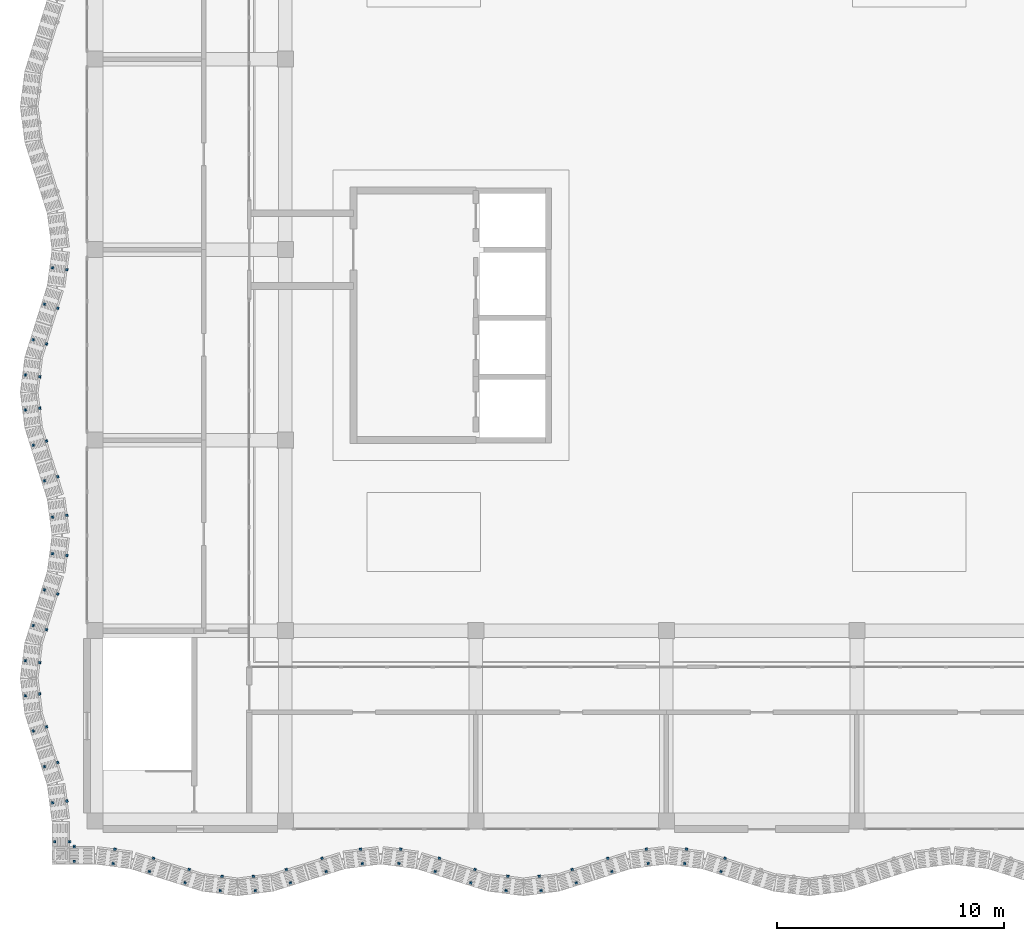
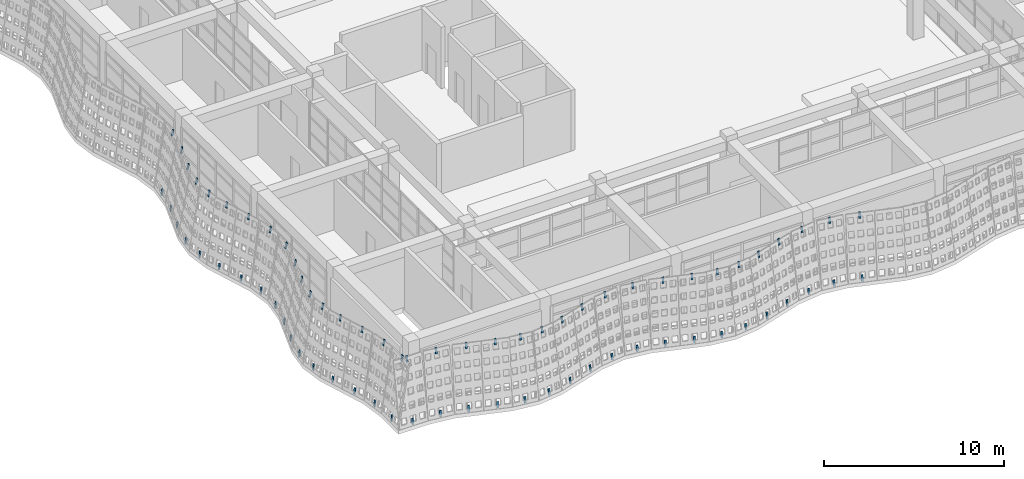
# One storey, part 53 of 85: 72 discrete accessories.
"""IFC4 building model written with IfcOpenShell, lengths in metres."""

from ifc_helpers import new_model, si_unit, direction, frame, origin, origin_2d, place, context, subcontext, project, spatial, rectangle, extrude, material, material_profile, profile_set, type_object, element, save


model = new_model("IFC4")

# Units and contexts
model_context = context("Model", 3, precision=1e-05, world=origin(), true_north=direction((0.0, 1.0)))
body_context = subcontext(model_context, "Body", "Model", "MODEL_VIEW")
ifc_project = project(units=[si_unit("LENGTHUNIT", "METRE"), si_unit("AREAUNIT", "SQUARE_METRE"), si_unit("VOLUMEUNIT", "CUBIC_METRE"), si_unit("PLANEANGLEUNIT", "RADIAN"), si_unit("MASSUNIT", "GRAM", prefix="KILO")], contexts=[model_context])

# Site, building, storey
site_placement = place(None, origin())
site = spatial("IfcSite", under=ifc_project, at=site_placement, CompositionType="ELEMENT")
building_placement = place(site_placement, origin())
building = spatial("IfcBuilding", under=site, at=building_placement, Name="Rain Tree Exposition and Congress Centre", CompositionType="ELEMENT")
storey_placement = place(building_placement, frame((0.0, 0.0, 15.0)))
storey = spatial("IfcBuildingStorey", under=building, at=storey_placement, Name="L03", CompositionType="ELEMENT", Elevation=15.0)

# Discrete accessories
ifc_material = material(Name="Steel S355J2", Category="steel")
ifc_material_profile = material_profile(ifc_material, rectangle(XDim=0.1201171875, YDim=0.050048828125, at=origin_2d()), Name="Flat bar 120x50")
ifc_profile_set = profile_set([ifc_material_profile], Name="Steel S355J2")
discrete_accessory_type = type_object("IfcDiscreteAccessoryType", Name="Screen bracket 120x50", PredefinedType="BRACKET", material=ifc_profile_set)
for number, where, z_axis, x_axis, name in (
    (1, (0.883544921875, -1.26416015625, 3.851318359375), (0.021365956631, 0.162381270396, 0.986496740452), (-0.991454295543, 0.130454512571, 0.0), "wing/bracket/L03/0011t"),
    (2, (0.801025390625, -1.898681640625, 0.004150390625), (0.021363835031, 0.162975541524, 0.986398783159), (-0.991517377774, 0.129974188098, 0.0), "wing/bracket/L03/0011b"),
):
    element("IfcDiscreteAccessory", number, at=place(storey_placement, frame(where, z_axis=z_axis, x_axis=x_axis)), inside=storey, type_object=discrete_accessory_type, Name=name, PredefinedType="BRACKET", context=body_context, shape_type="SweptSolid", body=[
        extrude(rectangle(XDim=0.1201171875, YDim=0.050048828125, at=origin_2d()), origin(), (0.0, 0.0, 1.0), 0.39990234375),
    ])
for number, where, z_axis, x_axis, name in (
    (3, (2.57861328125, -1.66552734375, 3.85107421875), (0.04699262887, 0.150742588713, 0.987455500152), (-0.954686073127, 0.297614686764, 0.0), "wing/bracket/L03/0021t"),
    (4, (2.39404296875, -2.252685546875, 0.00390625), (0.04699262887, 0.150742588713, 0.987455500152), (-0.954686073127, 0.297614686764, 0.0), "wing/bracket/L03/0021b"),
    (5, (4.150146484375, -2.159423828125, 3.85107421875), (0.047601548727, 0.150738237635, 0.987426997946), (-0.953582665134, 0.301131367937, 0.0), "wing/bracket/L03/0031t"),
    (6, (3.965576171875, -2.74658203125, 0.00390625), (0.047601548727, 0.150738237635, 0.987426997946), (-0.953582665134, 0.301131367937, 0.0), "wing/bracket/L03/0031b"),
):
    element("IfcDiscreteAccessory", number, at=place(storey_placement, frame(where, z_axis=z_axis, x_axis=x_axis)), inside=storey, type_object=discrete_accessory_type, Name=name, PredefinedType="BRACKET", context=body_context, shape_type="SweptSolid", body=[
        extrude(rectangle(XDim=0.1201171875, YDim=0.050048828125, at=origin_2d()), origin(), (0.0, 0.0, 1.0), 0.400146484375),
    ])
for number, where, z_axis, x_axis, name in (
    (7, (5.60693359375, -2.458984375, 3.851318359375), (0.021363835031, 0.162975541524, 0.986398783159), (-0.991517377774, 0.129974188098, 0.0), "wing/bracket/L03/0041t"),
    (8, (5.5244140625, -3.093505859375, 0.004150390625), (0.021363835031, 0.162975541524, 0.986398783159), (-0.991517377774, 0.129974188098, 0.0), "wing/bracket/L03/0041b"),
    (9, (6.992919921875, -2.458984375, 3.851318359375), (-0.020753706516, 0.162977636468, 0.986411462665), (-0.991989449114, -0.12632075382, 0.0), "wing/bracket/L03/0051t"),
    (10, (7.07568359375, -3.093505859375, 0.004150390625), (-0.021363835031, 0.162975541524, 0.986398783159), (-0.991517377774, -0.129974188098, 0.0), "wing/bracket/L03/0051b"),
):
    element("IfcDiscreteAccessory", number, at=place(storey_placement, frame(where, z_axis=z_axis, x_axis=x_axis)), inside=storey, type_object=discrete_accessory_type, Name=name, PredefinedType="BRACKET", context=body_context, shape_type="SweptSolid", body=[
        extrude(rectangle(XDim=0.1201171875, YDim=0.050048828125, at=origin_2d()), origin(), (0.0, 0.0, 1.0), 0.39990234375),
    ])
for number, where, z_axis, x_axis, name in (
    (11, (8.449951171875, -2.159423828125, 3.85107421875), (-0.047601548727, 0.150738237635, 0.987426997946), (-0.953582665134, -0.301131367937, 0.0), "wing/bracket/L03/0061t"),
    (12, (8.634521484375, -2.74658203125, 0.00390625), (-0.047601548727, 0.150738237635, 0.987426997946), (-0.953582665134, -0.301131367937, 0.0), "wing/bracket/L03/0061b"),
    (13, (10.021484375, -1.66552734375, 3.85107421875), (-0.04699262887, 0.150742588713, 0.987455500152), (-0.954686073127, -0.297614686764, 0.0), "wing/bracket/L03/0071t"),
    (14, (10.2060546875, -2.252685546875, 0.00390625), (-0.047601548727, 0.150738237635, 0.987426997946), (-0.953582665134, -0.301131367937, 0.0), "wing/bracket/L03/0071b"),
):
    element("IfcDiscreteAccessory", number, at=place(storey_placement, frame(where, z_axis=z_axis, x_axis=x_axis)), inside=storey, type_object=discrete_accessory_type, Name=name, PredefinedType="BRACKET", context=body_context, shape_type="SweptSolid", body=[
        extrude(rectangle(XDim=0.1201171875, YDim=0.050048828125, at=origin_2d()), origin(), (0.0, 0.0, 1.0), 0.400146484375),
    ])
for number, where, z_axis, x_axis, name in (
    (15, (11.71630859375, -1.26416015625, 3.851318359375), (-0.020755767579, 0.162383358115, 0.986509423736), (-0.991929834703, -0.126788023985, 0.0), "wing/bracket/L03/0081t"),
    (16, (11.798828125, -1.898681640625, 0.004150390625), (-0.020753706516, 0.162977636468, 0.986411462665), (-0.991989449114, -0.12632075382, 0.0), "wing/bracket/L03/0081b"),
    (17, (13.483642578125, -1.26416015625, 3.851318359375), (0.021365956631, 0.162381270396, 0.986496740452), (-0.991454295543, 0.130454512571, 0.0), "wing/bracket/L03/0091t"),
    (18, (13.401123046875, -1.898681640625, 0.004150390625), (0.020753706516, 0.162977636468, 0.986411462665), (-0.991989449114, 0.12632075382, 0.0), "wing/bracket/L03/0091b"),
):
    element("IfcDiscreteAccessory", number, at=place(storey_placement, frame(where, z_axis=z_axis, x_axis=x_axis)), inside=storey, type_object=discrete_accessory_type, Name=name, PredefinedType="BRACKET", context=body_context, shape_type="SweptSolid", body=[
        extrude(rectangle(XDim=0.1201171875, YDim=0.050048828125, at=origin_2d()), origin(), (0.0, 0.0, 1.0), 0.39990234375),
    ])
for number, where, z_axis, x_axis, name in (
    (19, (15.178466796875, -1.66552734375, 3.85107421875), (0.047601548727, 0.150738237635, 0.987426997946), (-0.953582665134, 0.301131367937, 0.0), "wing/bracket/L03/0101t"),
    (20, (14.993896484375, -2.252685546875, 0.00390625), (0.047601548727, 0.150738237635, 0.987426997946), (-0.953582665134, 0.301131367937, 0.0), "wing/bracket/L03/0101b"),
    (21, (16.75, -2.159423828125, 3.85107421875), (0.047601548727, 0.150738237635, 0.987426997946), (-0.953582665134, 0.301131367937, 0.0), "wing/bracket/L03/0111t"),
    (22, (16.565673828125, -2.74658203125, 0.00390625), (0.047601548727, 0.150738237635, 0.987426997946), (-0.953582665134, 0.301131367937, 0.0), "wing/bracket/L03/0111b"),
):
    element("IfcDiscreteAccessory", number, at=place(storey_placement, frame(where, z_axis=z_axis, x_axis=x_axis)), inside=storey, type_object=discrete_accessory_type, Name=name, PredefinedType="BRACKET", context=body_context, shape_type="SweptSolid", body=[
        extrude(rectangle(XDim=0.1201171875, YDim=0.050048828125, at=origin_2d()), origin(), (0.0, 0.0, 1.0), 0.400146484375),
    ])
for number, where, z_axis, x_axis, name in (
    (23, (18.20703125, -2.458984375, 3.851318359375), (0.020753706516, 0.162977636468, 0.986411462665), (-0.991989449114, 0.12632075382, 0.0), "wing/bracket/L03/0121t"),
    (24, (18.12451171875, -3.093505859375, 0.004150390625), (0.020753706516, 0.162977636468, 0.986411462665), (-0.991989449114, 0.12632075382, 0.0), "wing/bracket/L03/0121b"),
    (25, (19.593017578125, -2.458984375, 3.851318359375), (-0.020753706516, 0.162977636468, 0.986411462665), (-0.991989449114, -0.12632075382, 0.0), "wing/bracket/L03/0131t"),
    (26, (19.675537109375, -3.093505859375, 0.004150390625), (-0.021363835031, 0.162975541524, 0.986398783159), (-0.991517377774, -0.129974188098, 0.0), "wing/bracket/L03/0131b"),
):
    element("IfcDiscreteAccessory", number, at=place(storey_placement, frame(where, z_axis=z_axis, x_axis=x_axis)), inside=storey, type_object=discrete_accessory_type, Name=name, PredefinedType="BRACKET", context=body_context, shape_type="SweptSolid", body=[
        extrude(rectangle(XDim=0.1201171875, YDim=0.050048828125, at=origin_2d()), origin(), (0.0, 0.0, 1.0), 0.39990234375),
    ])
for number, where, z_axis, x_axis, name in (
    (27, (21.0498046875, -2.159423828125, 3.85107421875), (-0.04699262887, 0.150742588713, 0.987455500152), (-0.954686073127, -0.297614686764, 0.0), "wing/bracket/L03/0141t"),
    (28, (21.234375, -2.74658203125, 0.00390625), (-0.047601548727, 0.150738237635, 0.987426997946), (-0.953582665134, -0.301131367937, 0.0), "wing/bracket/L03/0141b"),
    (29, (22.62158203125, -1.66552734375, 3.85107421875), (-0.047601548727, 0.150738237635, 0.987426997946), (-0.953582665134, -0.301131367937, 0.0), "wing/bracket/L03/0151t"),
    (30, (22.805908203125, -2.252685546875, 0.00390625), (-0.04699262887, 0.150742588713, 0.987455500152), (-0.954686073127, -0.297614686764, 0.0), "wing/bracket/L03/0151b"),
):
    element("IfcDiscreteAccessory", number, at=place(storey_placement, frame(where, z_axis=z_axis, x_axis=x_axis)), inside=storey, type_object=discrete_accessory_type, Name=name, PredefinedType="BRACKET", context=body_context, shape_type="SweptSolid", body=[
        extrude(rectangle(XDim=0.1201171875, YDim=0.050048828125, at=origin_2d()), origin(), (0.0, 0.0, 1.0), 0.400146484375),
    ])
for number, where, z_axis, x_axis, name in (
    (31, (24.31640625, -1.26416015625, 3.851318359375), (-0.021365956631, 0.162381270396, 0.986496740452), (-0.991454295543, -0.130454512571, 0.0), "wing/bracket/L03/0161t"),
    (32, (24.39892578125, -1.898681640625, 0.004150390625), (-0.021363835031, 0.162975541524, 0.986398783159), (-0.991517377774, -0.129974188098, 0.0), "wing/bracket/L03/0161b"),
    (33, (26.08349609375, -1.26416015625, 3.851318359375), (0.021365956631, 0.162381270396, 0.986496740452), (-0.991454295543, 0.130454512571, 0.0), "wing/bracket/L03/0171t"),
    (34, (26.001220703125, -1.898681640625, 0.004150390625), (0.020753706516, 0.162977636468, 0.986411462665), (-0.991989449114, 0.12632075382, 0.0), "wing/bracket/L03/0171b"),
):
    element("IfcDiscreteAccessory", number, at=place(storey_placement, frame(where, z_axis=z_axis, x_axis=x_axis)), inside=storey, type_object=discrete_accessory_type, Name=name, PredefinedType="BRACKET", context=body_context, shape_type="SweptSolid", body=[
        extrude(rectangle(XDim=0.1201171875, YDim=0.050048828125, at=origin_2d()), origin(), (0.0, 0.0, 1.0), 0.39990234375),
    ])
for number, where, z_axis, x_axis, name in (
    (35, (27.778564453125, -1.66552734375, 3.85107421875), (0.04699262887, 0.150742588713, 0.987455500152), (-0.954686073127, 0.297614686764, 0.0), "wing/bracket/L03/0181t"),
    (36, (27.593994140625, -2.252685546875, 0.00390625), (0.04699262887, 0.150742588713, 0.987455500152), (-0.954686073127, 0.297614686764, 0.0), "wing/bracket/L03/0181b"),
):
    element("IfcDiscreteAccessory", number, at=place(storey_placement, frame(where, z_axis=z_axis, x_axis=x_axis)), inside=storey, type_object=discrete_accessory_type, Name=name, PredefinedType="BRACKET", context=body_context, shape_type="SweptSolid", body=[
        extrude(rectangle(XDim=0.1201171875, YDim=0.050048828125, at=origin_2d()), origin(), (0.0, 0.0, 1.0), 0.400146484375),
    ])
for number, where, z_axis, x_axis, name in (
    (37, (-1.26416015625, 24.31640625, 3.851318359375), (0.162381270396, -0.021365956631, 0.986496740452), (0.130454512571, 0.991454295543, 0.0), "wing/bracket/L03/1191t"),
    (38, (-1.898681640625, 24.39892578125, 0.004150390625), (0.162975541524, -0.021363835031, 0.986398783159), (0.129974188098, 0.991517377774, 0.0), "wing/bracket/L03/1191b"),
):
    element("IfcDiscreteAccessory", number, at=place(storey_placement, frame(where, z_axis=z_axis, x_axis=x_axis)), inside=storey, type_object=discrete_accessory_type, Name=name, PredefinedType="BRACKET", context=body_context, shape_type="SweptSolid", body=[
        extrude(rectangle(XDim=0.1201171875, YDim=0.050048828125, at=origin_2d()), origin(), (0.0, 0.0, 1.0), 0.39990234375),
    ])
for number, where, z_axis, x_axis, name in (
    (39, (-1.66552734375, 22.62158203125, 3.85107421875), (0.150738237635, -0.047601548727, 0.987426997946), (0.301131367937, 0.953582665134, 0.0), "wing/bracket/L03/1201t"),
    (40, (-2.252685546875, 22.805908203125, 0.00390625), (0.150742588713, -0.04699262887, 0.987455500152), (0.297614686764, 0.954686073127, 0.0), "wing/bracket/L03/1201b"),
    (41, (-2.159423828125, 21.0498046875, 3.85107421875), (0.150742588713, -0.04699262887, 0.987455500152), (0.297614686764, 0.954686073127, 0.0), "wing/bracket/L03/1211t"),
    (42, (-2.74658203125, 21.234375, 0.00390625), (0.150738237635, -0.047601548727, 0.987426997946), (0.301131367937, 0.953582665134, 0.0), "wing/bracket/L03/1211b"),
):
    element("IfcDiscreteAccessory", number, at=place(storey_placement, frame(where, z_axis=z_axis, x_axis=x_axis)), inside=storey, type_object=discrete_accessory_type, Name=name, PredefinedType="BRACKET", context=body_context, shape_type="SweptSolid", body=[
        extrude(rectangle(XDim=0.1201171875, YDim=0.050048828125, at=origin_2d()), origin(), (0.0, 0.0, 1.0), 0.400146484375),
    ])
for number, where, z_axis, x_axis, name in (
    (43, (-2.458984375, 19.593017578125, 3.851318359375), (0.162977636468, -0.020753706516, 0.986411462665), (0.12632075382, 0.991989449114, 0.0), "wing/bracket/L03/1221t"),
    (44, (-3.093505859375, 19.675537109375, 0.004150390625), (0.162975541524, -0.021363835031, 0.986398783159), (0.129974188098, 0.991517377774, 0.0), "wing/bracket/L03/1221b"),
    (45, (-2.458984375, 18.20703125, 3.851318359375), (0.162977636468, 0.020753706516, 0.986411462665), (-0.12632075382, 0.991989449114, 0.0), "wing/bracket/L03/1231t"),
    (46, (-3.093505859375, 18.12451171875, 0.004150390625), (0.162977636468, 0.020753706516, 0.986411462665), (-0.12632075382, 0.991989449114, 0.0), "wing/bracket/L03/1231b"),
):
    element("IfcDiscreteAccessory", number, at=place(storey_placement, frame(where, z_axis=z_axis, x_axis=x_axis)), inside=storey, type_object=discrete_accessory_type, Name=name, PredefinedType="BRACKET", context=body_context, shape_type="SweptSolid", body=[
        extrude(rectangle(XDim=0.1201171875, YDim=0.050048828125, at=origin_2d()), origin(), (0.0, 0.0, 1.0), 0.39990234375),
    ])
for number, where, z_axis, x_axis, name in (
    (47, (-2.159423828125, 16.75, 3.85107421875), (0.150738237635, 0.047601548727, 0.987426997946), (-0.301131367937, 0.953582665134, 0.0), "wing/bracket/L03/1241t"),
    (48, (-2.74658203125, 16.565673828125, 0.00390625), (0.150738237635, 0.047601548727, 0.987426997946), (-0.301131367937, 0.953582665134, 0.0), "wing/bracket/L03/1241b"),
    (49, (-1.66552734375, 15.178466796875, 3.85107421875), (0.150738237635, 0.047601548727, 0.987426997946), (-0.301131367937, 0.953582665134, 0.0), "wing/bracket/L03/1251t"),
    (50, (-2.252685546875, 14.993896484375, 0.00390625), (0.150738237635, 0.047601548727, 0.987426997946), (-0.301131367937, 0.953582665134, 0.0), "wing/bracket/L03/1251b"),
):
    element("IfcDiscreteAccessory", number, at=place(storey_placement, frame(where, z_axis=z_axis, x_axis=x_axis)), inside=storey, type_object=discrete_accessory_type, Name=name, PredefinedType="BRACKET", context=body_context, shape_type="SweptSolid", body=[
        extrude(rectangle(XDim=0.1201171875, YDim=0.050048828125, at=origin_2d()), origin(), (0.0, 0.0, 1.0), 0.400146484375),
    ])
for number, where, z_axis, x_axis, name in (
    (51, (-1.26416015625, 13.483642578125, 3.851318359375), (0.162381270396, 0.021365956631, 0.986496740452), (-0.130454512571, 0.991454295543, 0.0), "wing/bracket/L03/1261t"),
    (52, (-1.898681640625, 13.401123046875, 0.004150390625), (0.162977636468, 0.020753706516, 0.986411462665), (-0.12632075382, 0.991989449114, 0.0), "wing/bracket/L03/1261b"),
    (53, (-1.26416015625, 11.71630859375, 3.851318359375), (0.162383358115, -0.020755767579, 0.986509423736), (0.126788023985, 0.991929834703, 0.0), "wing/bracket/L03/1271t"),
    (54, (-1.898681640625, 11.798828125, 0.004150390625), (0.162977636468, -0.020753706516, 0.986411462665), (0.12632075382, 0.991989449114, 0.0), "wing/bracket/L03/1271b"),
):
    element("IfcDiscreteAccessory", number, at=place(storey_placement, frame(where, z_axis=z_axis, x_axis=x_axis)), inside=storey, type_object=discrete_accessory_type, Name=name, PredefinedType="BRACKET", context=body_context, shape_type="SweptSolid", body=[
        extrude(rectangle(XDim=0.1201171875, YDim=0.050048828125, at=origin_2d()), origin(), (0.0, 0.0, 1.0), 0.39990234375),
    ])
for number, where, z_axis, x_axis, name in (
    (55, (-1.66552734375, 10.021484375, 3.85107421875), (0.150742588713, -0.04699262887, 0.987455500152), (0.297614686764, 0.954686073127, 0.0), "wing/bracket/L03/1281t"),
    (56, (-2.252685546875, 10.2060546875, 0.00390625), (0.150738237635, -0.047601548727, 0.987426997946), (0.301131367937, 0.953582665134, 0.0), "wing/bracket/L03/1281b"),
    (57, (-2.159423828125, 8.449951171875, 3.85107421875), (0.150738237635, -0.047601548727, 0.987426997946), (0.301131367937, 0.953582665134, 0.0), "wing/bracket/L03/1291t"),
    (58, (-2.74658203125, 8.634521484375, 0.00390625), (0.150738237635, -0.047601548727, 0.987426997946), (0.301131367937, 0.953582665134, 0.0), "wing/bracket/L03/1291b"),
):
    element("IfcDiscreteAccessory", number, at=place(storey_placement, frame(where, z_axis=z_axis, x_axis=x_axis)), inside=storey, type_object=discrete_accessory_type, Name=name, PredefinedType="BRACKET", context=body_context, shape_type="SweptSolid", body=[
        extrude(rectangle(XDim=0.1201171875, YDim=0.050048828125, at=origin_2d()), origin(), (0.0, 0.0, 1.0), 0.400146484375),
    ])
for number, where, z_axis, x_axis, name in (
    (59, (-2.458984375, 6.992919921875, 3.851318359375), (0.162977636468, -0.020753706516, 0.986411462665), (0.12632075382, 0.991989449114, 0.0), "wing/bracket/L03/1301t"),
    (60, (-3.093505859375, 7.07568359375, 0.004150390625), (0.162975541524, -0.021363835031, 0.986398783159), (0.129974188098, 0.991517377774, 0.0), "wing/bracket/L03/1301b"),
    (61, (-2.458984375, 5.60693359375, 3.851318359375), (0.162975541524, 0.021363835031, 0.986398783159), (-0.129974188098, 0.991517377774, 0.0), "wing/bracket/L03/1311t"),
    (62, (-3.093505859375, 5.5244140625, 0.004150390625), (0.162975541524, 0.021363835031, 0.986398783159), (-0.129974188098, 0.991517377774, 0.0), "wing/bracket/L03/1311b"),
):
    element("IfcDiscreteAccessory", number, at=place(storey_placement, frame(where, z_axis=z_axis, x_axis=x_axis)), inside=storey, type_object=discrete_accessory_type, Name=name, PredefinedType="BRACKET", context=body_context, shape_type="SweptSolid", body=[
        extrude(rectangle(XDim=0.1201171875, YDim=0.050048828125, at=origin_2d()), origin(), (0.0, 0.0, 1.0), 0.39990234375),
    ])
for number, where, z_axis, x_axis, name in (
    (63, (-2.159423828125, 4.150146484375, 3.85107421875), (0.150738237635, 0.047601548727, 0.987426997946), (-0.301131367937, 0.953582665134, 0.0), "wing/bracket/L03/1321t"),
    (64, (-2.74658203125, 3.965576171875, 0.00390625), (0.150738237635, 0.047601548727, 0.987426997946), (-0.301131367937, 0.953582665134, 0.0), "wing/bracket/L03/1321b"),
    (65, (-1.66552734375, 2.57861328125, 3.85107421875), (0.150742588713, 0.04699262887, 0.987455500152), (-0.297614686764, 0.954686073127, 0.0), "wing/bracket/L03/1331t"),
    (66, (-2.252685546875, 2.39404296875, 0.00390625), (0.150742588713, 0.04699262887, 0.987455500152), (-0.297614686764, 0.954686073127, 0.0), "wing/bracket/L03/1331b"),
):
    element("IfcDiscreteAccessory", number, at=place(storey_placement, frame(where, z_axis=z_axis, x_axis=x_axis)), inside=storey, type_object=discrete_accessory_type, Name=name, PredefinedType="BRACKET", context=body_context, shape_type="SweptSolid", body=[
        extrude(rectangle(XDim=0.1201171875, YDim=0.050048828125, at=origin_2d()), origin(), (0.0, 0.0, 1.0), 0.400146484375),
    ])
for number, where, z_axis, x_axis, name in (
    (67, (-1.26416015625, 0.883544921875, 3.851318359375), (0.162381270396, 0.021365956631, 0.986496740452), (-0.130454512571, 0.991454295543, 0.0), "wing/bracket/L03/1341t"),
    (68, (-1.898681640625, 0.801025390625, 0.004150390625), (0.162975541524, 0.021363835031, 0.986398783159), (-0.129974188098, 0.991517377774, 0.0), "wing/bracket/L03/1341b"),
    (69, (-1.14990234375, -0.91015625, 3.851318359375), (0.164794877674, 0.0, 0.986327860446), (0.0, 1.0, 0.0), "wing/bracket/L03/1351t"),
):
    element("IfcDiscreteAccessory", number, at=place(storey_placement, frame(where, z_axis=z_axis, x_axis=x_axis)), inside=storey, type_object=discrete_accessory_type, Name=name, PredefinedType="BRACKET", context=body_context, shape_type="SweptSolid", body=[
        extrude(rectangle(XDim=0.1201171875, YDim=0.050048828125, at=origin_2d()), origin(), (0.0, 0.0, 1.0), 0.39990234375),
    ])
discrete_accessory_1_placement = place(storey_placement, frame((-1.795166015625, -0.91015625, 0.004150390625), z_axis=(0.165388563864, 0.0, 0.986228484147), x_axis=(0.0, 1.0, 0.0)))
element("IfcDiscreteAccessory", 70, at=discrete_accessory_1_placement, inside=storey, type_object=discrete_accessory_type, Name="wing/bracket/L03/1351b", PredefinedType="BRACKET", context=body_context, shape_type="SweptSolid", body=[
    extrude(rectangle(XDim=0.1201171875, YDim=0.050048828125, at=origin_2d()), origin(), (0.0, 0.0, 1.0), 0.400146484375),
])
discrete_accessory_2_placement = place(storey_placement, frame((-0.91015625, -1.14990234375, 3.851318359375), z_axis=(0.0, 0.164794877674, 0.986327860446), x_axis=(-1.0, 0.0, 0.0)))
element("IfcDiscreteAccessory", 71, at=discrete_accessory_2_placement, inside=storey, type_object=discrete_accessory_type, Name="wing/bracket/L03/1361t", PredefinedType="BRACKET", context=body_context, shape_type="SweptSolid", body=[
    extrude(rectangle(XDim=0.1201171875, YDim=0.050048828125, at=origin_2d()), origin(), (0.0, 0.0, 1.0), 0.39990234375),
])
discrete_accessory_3_placement = place(storey_placement, frame((-0.91015625, -1.795166015625, 0.004150390625), z_axis=(0.0, 0.165388563864, 0.986228484147), x_axis=(-1.0, 0.0, 0.0)))
element("IfcDiscreteAccessory", 72, at=discrete_accessory_3_placement, inside=storey, type_object=discrete_accessory_type, Name="wing/bracket/L03/1361b", PredefinedType="BRACKET", context=body_context, shape_type="SweptSolid", body=[
    extrude(rectangle(XDim=0.1201171875, YDim=0.050048828125, at=origin_2d()), origin(), (0.0, 0.0, 1.0), 0.400146484375),
])

save(model, "model.ifc")
